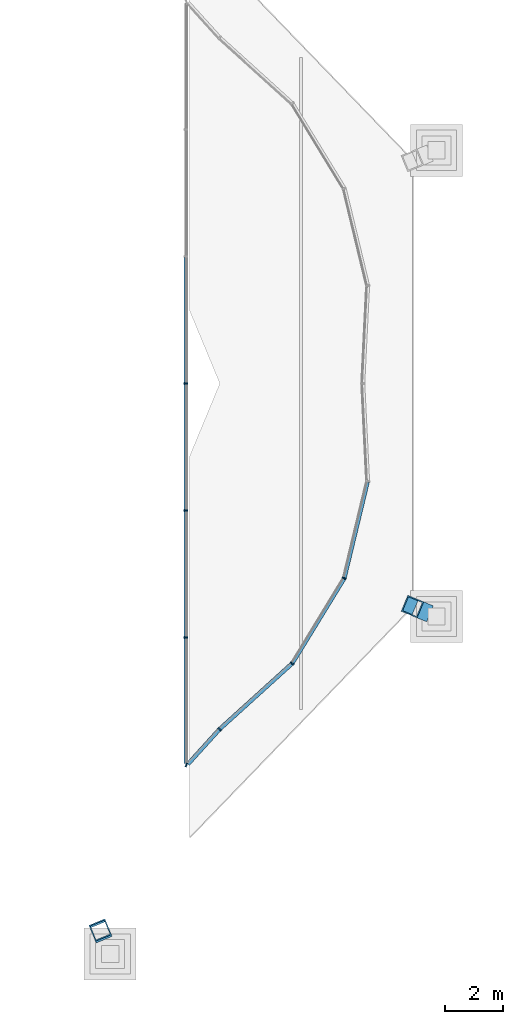
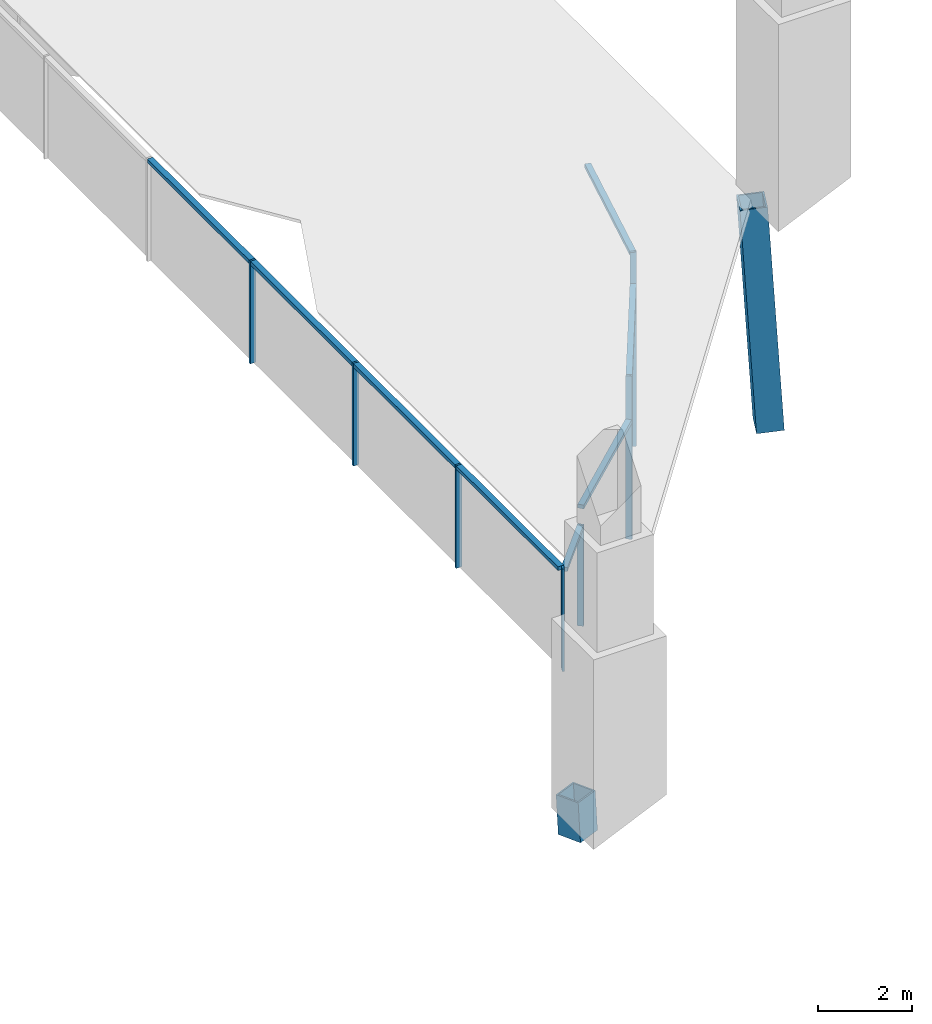
# One storey, part 1 of 8: 17 members, 4 elements without a shape of their own.
"""IFC4 building model written with IfcOpenShell, lengths in metres."""

from ifc_helpers import new_model, si_unit, direction, frame, origin, origin_2d, place, context, subcontext, project, spatial, rectangle, hollow_rectangle, extrude, material, material_profile, profile_set, type_object, element, aggregate, save


model = new_model("IFC4")

# Units and contexts
model_context = context("Model", 3, precision=1e-05, world=origin(), true_north=direction((0.0, 1.0)))
body_context = subcontext(model_context, "Body", "Model", "MODEL_VIEW")
ifc_project = project(units=[si_unit("LENGTHUNIT", "METRE"), si_unit("AREAUNIT", "SQUARE_METRE"), si_unit("VOLUMEUNIT", "CUBIC_METRE"), si_unit("PLANEANGLEUNIT", "RADIAN"), si_unit("MASSUNIT", "GRAM", prefix="KILO")], contexts=[model_context])

# Site, building, storey
site_placement = place(None, origin())
site = spatial("IfcSite", under=ifc_project, at=site_placement, CompositionType="ELEMENT")
building_placement = place(site_placement, origin())
building = spatial("IfcBuilding", under=site, at=building_placement, Name="Ogive Gate Towers", CompositionType="ELEMENT")
storey_placement = place(building_placement, frame((0.0, 0.0, 314.0)))
storey = spatial("IfcBuildingStorey", under=building, at=storey_placement, Name="L74", CompositionType="ELEMENT", Elevation=314.0)

# Curtain wall, member
ifc_material_1 = material(Name="Pale metal aluminium", Category="aluminium")
curtain_wall_type = type_object("IfcCurtainWallType", Name="Crown lean wall", PredefinedType="NOTDEFINED", material=ifc_material_1)
curtain_wall_1_placement = place(storey_placement, origin())
curtain_wall_1 = element("IfcCurtainWall", 1, at=curtain_wall_1_placement, inside=storey, type_object=curtain_wall_type, Name="CW5 T1 ECW01b", PredefinedType="NOTDEFINED")
ifc_material_profile_1 = material_profile(ifc_material_1, rectangle(XDim=0.139892578125, YDim=0.050048828125, at=origin_2d()), Name="50 x 140 aluminium box")
ifc_profile_set_1 = profile_set([ifc_material_profile_1], Name="Pale metal aluminium")
member_type_1 = type_object("IfcMemberType", Name="Crown lean wall mullion 50 x 140", PredefinedType="MULLION", material=ifc_profile_set_1)
member_1_placement = place(storey_placement, frame((-25.177001953125, 0.0, -0.300048828125), z_axis=(0.0, 0.0, 1.0), x_axis=(1.0, 0.0, 0.0)))
member_1 = element("IfcMember", 2, at=member_1_placement, type_object=member_type_1, Name="CW5 mullion", PredefinedType="MULLION", context=body_context, shape_type="SweptSolid", body=[
    extrude(rectangle(XDim=0.139892578125, YDim=0.050048828125, at=origin_2d()), origin(), (0.0, 0.0, 1.0), 2.679931640625),
])

# Curtain wall, members
curtain_wall_2_placement = place(storey_placement, origin())
curtain_wall_2 = element("IfcCurtainWall", 3, at=curtain_wall_2_placement, inside=storey, type_object=curtain_wall_type, Name="CW5 T1 ECW03", PredefinedType="NOTDEFINED")
member_2_placement = place(storey_placement, frame((-24.00634765625, -11.991455078125, -0.300048828125), z_axis=(0.0, 0.0, 1.0), x_axis=(-0.741121054892, 0.671371418811, 0.0)))
member_2 = element("IfcMember", 4, at=member_2_placement, type_object=member_type_1, Name="CW5 mullion", PredefinedType="MULLION", context=body_context, shape_type="SweptSolid", body=[
    extrude(rectangle(XDim=0.139892578125, YDim=0.050048828125, at=origin_2d()), origin(), (0.0, 0.0, 1.0), 2.63525390625),
])
member_3_placement = place(storey_placement, frame((-25.157958984375, -13.234130859375, -0.300048828125), z_axis=(0.0, 0.0, 1.0), x_axis=(0.359785118413, 0.933035191495, 0.0)))
member_3 = element("IfcMember", 5, at=member_3_placement, type_object=member_type_1, Name="CW5 mullion", PredefinedType="MULLION", context=body_context, shape_type="SweptSolid", body=[
    extrude(rectangle(XDim=0.139892578125, YDim=0.050048828125, at=origin_2d()), origin(), (0.0, 0.0, 1.0), 2.679931640625),
])
member_4_placement = place(storey_placement, frame((-25.177001953125, -8.80419921875, -0.300048828125), z_axis=(0.0, 0.0, 1.0), x_axis=(1.0, 0.0, 0.0)))
member_4 = element("IfcMember", 6, at=member_4_placement, type_object=member_type_1, Name="CW5 mullion", PredefinedType="MULLION", context=body_context, shape_type="SweptSolid", body=[
    extrude(rectangle(XDim=0.139892578125, YDim=0.050048828125, at=origin_2d()), origin(), (0.0, 0.0, 1.0), 2.679931640625),
])

curtain_wall_3_placement = place(storey_placement, origin())
curtain_wall_3 = element("IfcCurtainWall", 7, at=curtain_wall_3_placement, inside=storey, type_object=curtain_wall_type, Name="CW5 T1 ECW04", PredefinedType="NOTDEFINED")
member_5_placement = place(storey_placement, frame((-19.68310546875, -6.7587890625, -0.300048828125), z_axis=(0.0, 0.0, 1.0), x_axis=(-0.923879532511, 0.382683432365, 0.0)))
member_5 = element("IfcMember", 8, at=member_5_placement, type_object=member_type_1, Name="CW5 mullion", PredefinedType="MULLION", context=body_context, shape_type="SweptSolid", body=[
    extrude(rectangle(XDim=0.139892578125, YDim=0.050048828125, at=origin_2d()), origin(), (0.0, 0.0, 1.0), 5.067138671875),
])
member_6_placement = place(storey_placement, frame((-21.48974609375, -9.711669921875, -0.300048828125), z_axis=(0.0, 0.0, 1.0), x_axis=(-0.770034644494, 0.638002073884, 0.0)))
member_6 = element("IfcMember", 9, at=member_6_placement, type_object=member_type_1, Name="CW5 mullion", PredefinedType="MULLION", context=body_context, shape_type="SweptSolid", body=[
    extrude(rectangle(XDim=0.139892578125, YDim=0.050048828125, at=origin_2d()), origin(), (0.0, 0.0, 1.0), 4.26123046875),
])

# Curtain wall, member
curtain_wall_4_placement = place(storey_placement, origin())
curtain_wall_4 = element("IfcCurtainWall", 10, at=curtain_wall_4_placement, inside=storey, type_object=curtain_wall_type, Name="CW5 T1 ECW04b", PredefinedType="NOTDEFINED")
member_7_placement = place(storey_placement, frame((-25.177001953125, -4.402099609375, -0.300048828125), z_axis=(0.0, 0.0, 1.0), x_axis=(1.0, 0.0, 0.0)))
member_7 = element("IfcMember", 11, at=member_7_placement, type_object=member_type_1, Name="CW5 mullion", PredefinedType="MULLION", context=body_context, shape_type="SweptSolid", body=[
    extrude(rectangle(XDim=0.139892578125, YDim=0.050048828125, at=origin_2d()), origin(), (0.0, 0.0, 1.0), 2.679931640625),
])

# Member
ifc_material_profile_2 = material_profile(ifc_material_1, rectangle(XDim=0.139892578125, YDim=0.10009765625, at=origin_2d()), Name="100 x 140 aluminium box")
ifc_profile_set_2 = profile_set([ifc_material_profile_2], Name="Pale metal aluminium")
member_type_2 = type_object("IfcMemberType", Name="Crown lean wall transom 100 x 140", PredefinedType="USERDEFINED", material=ifc_profile_set_2)
member_8_placement = place(storey_placement, frame((-25.177001953125, 0.02490234375, 2.330078125), z_axis=(0.0, 1.0, 0.0), x_axis=(-1.0, 0.0, 0.0)))
member_8 = element("IfcMember", 12, at=member_8_placement, type_object=member_type_2, Name="CW5 transom", ObjectType="TRANSOM", PredefinedType="USERDEFINED", context=body_context, shape_type="SweptSolid", body=[
    extrude(rectangle(XDim=0.139892578125, YDim=0.10009765625, at=origin_2d()), origin(), (0.0, 0.0, 1.0), 4.35205078125),
])

aggregate(curtain_wall_1, [member_1, member_8])

member_9_placement = place(storey_placement, frame((-24.023193359375, -12.010009765625, 2.28515625), z_axis=(-0.671348330899, -0.74114196926, 0.0), x_axis=(0.74114196926, -0.671348330899, 0.0)))
member_9 = element("IfcMember", 13, at=member_9_placement, type_object=member_type_2, Name="CW5 transom", ObjectType="TRANSOM", PredefinedType="USERDEFINED", context=body_context, shape_type="SweptSolid", body=[
    extrude(rectangle(XDim=0.139892578125, YDim=0.10009765625, at=origin_2d()), origin(), (0.0, 0.0, 1.0), 1.6162109375),
])

member_10_placement = place(storey_placement, frame((-25.177001953125, -13.18115234375, 2.330078125), z_axis=(0.0, 1.0, 0.0), x_axis=(-1.0, 0.0, 0.0)))
member_10 = element("IfcMember", 14, at=member_10_placement, type_object=member_type_2, Name="CW5 transom", ObjectType="TRANSOM", PredefinedType="USERDEFINED", context=body_context, shape_type="SweptSolid", body=[
    extrude(rectangle(XDim=0.139892578125, YDim=0.10009765625, at=origin_2d()), origin(), (0.0, 0.0, 1.0), 4.35205078125),
])

aggregate(curtain_wall_2, [member_2, member_3, member_9, member_4, member_10])

member_11_placement = place(storey_placement, frame((-18.879150390625, -3.421630859375, 4.71728515625), z_axis=(-0.234102815344, -0.972211845149, 0.0), x_axis=(0.972211845149, -0.234102815344, 0.0)))
member_11 = element("IfcMember", 15, at=member_11_placement, type_object=member_type_2, Name="CW5 transom", ObjectType="TRANSOM", PredefinedType="USERDEFINED", context=body_context, shape_type="SweptSolid", body=[
    extrude(rectangle(XDim=0.139892578125, YDim=0.10009765625, at=origin_2d()), origin(), (0.0, 0.0, 1.0), 3.40283203125),
])

member_12_placement = place(storey_placement, frame((-19.698486328125, -6.7841796875, 3.9111328125), z_axis=(-0.521841760864, -0.853042306464, 0.0), x_axis=(0.853042306464, -0.521841760864, 0.0)))
member_12 = element("IfcMember", 16, at=member_12_placement, type_object=member_type_2, Name="CW5 transom", ObjectType="TRANSOM", PredefinedType="USERDEFINED", context=body_context, shape_type="SweptSolid", body=[
    extrude(rectangle(XDim=0.139892578125, YDim=0.10009765625, at=origin_2d()), origin(), (0.0, 0.0, 1.0), 3.402587890625),
])

member_13_placement = place(storey_placement, frame((-21.51123046875, -9.7314453125, 2.78564453125), z_axis=(-0.741137897422, -0.67135282602, 0.0), x_axis=(0.67135282602, -0.741137897422, 0.0)))
member_13 = element("IfcMember", 17, at=member_13_placement, type_object=member_type_2, Name="CW5 transom", ObjectType="TRANSOM", PredefinedType="USERDEFINED", context=body_context, shape_type="SweptSolid", body=[
    extrude(rectangle(XDim=0.139892578125, YDim=0.10009765625, at=origin_2d()), origin(), (0.0, 0.0, 1.0), 3.344482421875),
])

aggregate(curtain_wall_3, [member_5, member_11, member_6, member_12, member_13])

member_14_placement = place(storey_placement, frame((-25.177001953125, -8.779052734375, 2.330078125), z_axis=(0.0, 1.0, 0.0), x_axis=(-1.0, 0.0, 0.0)))
member_14 = element("IfcMember", 18, at=member_14_placement, type_object=member_type_2, Name="CW5 transom", ObjectType="TRANSOM", PredefinedType="USERDEFINED", context=body_context, shape_type="SweptSolid", body=[
    extrude(rectangle(XDim=0.139892578125, YDim=0.10009765625, at=origin_2d()), origin(), (0.0, 0.0, 1.0), 4.35205078125),
])

member_15_placement = place(storey_placement, frame((-25.177001953125, -4.376953125, 2.330078125), z_axis=(0.0, 1.0, 0.0), x_axis=(-1.0, 0.0, 0.0)))
member_15 = element("IfcMember", 19, at=member_15_placement, type_object=member_type_2, Name="CW5 transom", ObjectType="TRANSOM", PredefinedType="USERDEFINED", context=body_context, shape_type="SweptSolid", body=[
    extrude(rectangle(XDim=0.139892578125, YDim=0.10009765625, at=origin_2d()), origin(), (0.0, 0.0, 1.0), 4.35205078125),
])

aggregate(curtain_wall_4, [member_7, member_14, member_15])

# Members
ifc_material_2 = material(Name="Steel SM460", Category="steel")
ifc_material_profile_3 = material_profile(ifc_material_2, hollow_rectangle(XDim=0.60009765625, YDim=0.60009765625, WallThickness=0.0400390625, at=origin_2d()), Name="BX 600x600x40")
ifc_profile_set_3 = profile_set([ifc_material_profile_3], Name="Steel SM460")
member_type_3 = type_object("IfcMemberType", Name="Crown rib BX 600x600x40", PredefinedType="MEMBER", material=ifc_profile_set_3)
member_16_placement = place(storey_placement, frame((-28.123779296875, -19.01513671875, 0.0), z_axis=(-0.023335360016, 0.056534119627, 0.998127924813), x_axis=(-0.924351915048, -0.381541003232, 0.0)))
element("IfcMember", 20, at=member_16_placement, inside=storey, type_object=member_type_3, Name="T1/L74/STR003", PredefinedType="MEMBER", context=body_context, shape_type="SweptSolid", body=[
    extrude(hollow_rectangle(XDim=0.60009765625, YDim=0.60009765625, WallThickness=0.0400390625, at=origin_2d()), origin(), (0.0, 0.0, 1.0), 1.014892578125),
])
member_17_placement = place(storey_placement, frame((-16.98486328125, -7.876220703125, 0.0), z_axis=(-0.056401702581, 0.023334332705, 0.99813544014), x_axis=(-0.382291603221, -0.924041736128, 0.0)))
element("IfcMember", 21, at=member_17_placement, inside=storey, type_object=member_type_3, Name="T1/L74/STR004", PredefinedType="MEMBER", context=body_context, shape_type="SweptSolid", body=[
    extrude(hollow_rectangle(XDim=0.60009765625, YDim=0.60009765625, WallThickness=0.0400390625, at=origin_2d()), origin(), (0.0, 0.0, 1.0), 5.86962890625),
])

save(model, "model.ifc")
